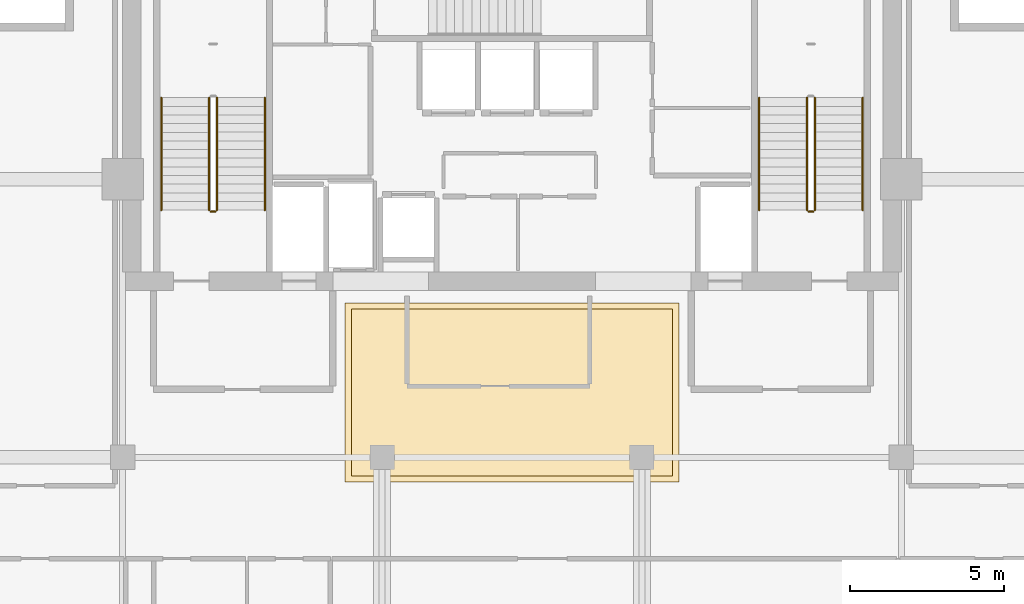
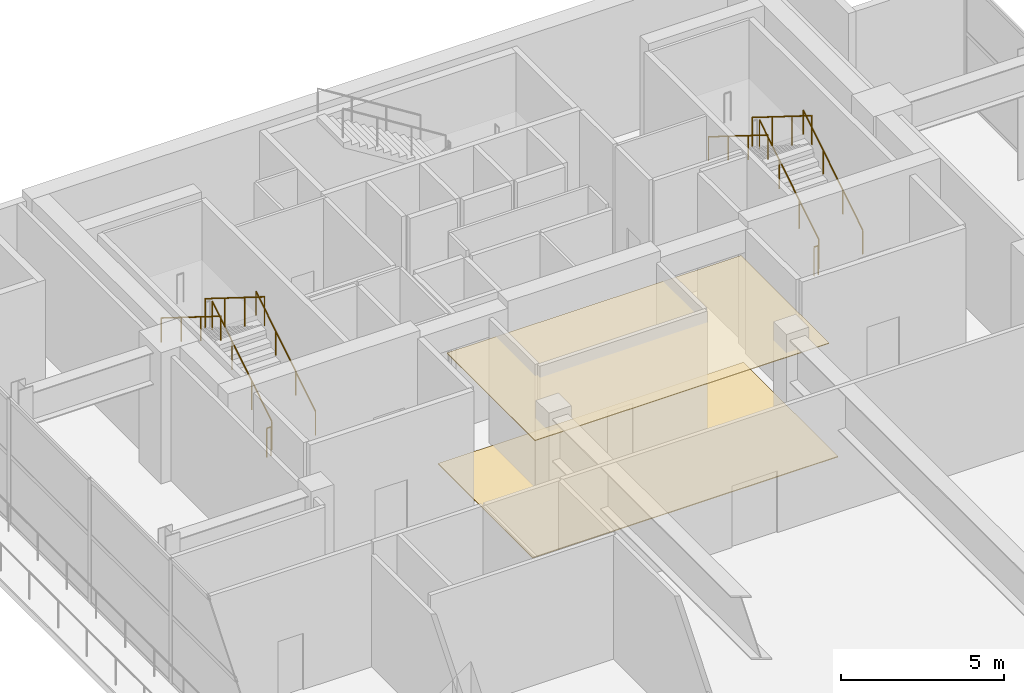
# One storey, part 20 of 22: 10 railings, 2 coverings.
"""IFC4 building model written with IfcOpenShell, lengths in metres."""

import ifcopenshell
import ifcopenshell.guid

model = None  # the IFC model being written
_history = None  # IfcOwnerHistory: only IFC2X3 demands one
_inside = {}  # id of a spatial element -> (the spatial element, [elements in it])
_under = {}  # id of a project, library or spatial element -> (it, [spatial elements below it])
_declared = {}  # id of a project -> (the project, [libraries it declares])
_typed = {}  # id of a type object -> (the type object, [elements of that type])
_made_of = {}  # id of a material, layer set ... -> (it, [elements and type objects made of it])


def new_model(schema):
    """Start an empty IFC model of exactly this schema.

    Asked for "IFC4X3", IfcOpenShell would pick the latest addendum, in which some entities
    have other attributes; the version numbers below select the first issue.
    IFC2X3 requires an IfcOwnerHistory on every rooted entity: one is made here for all.
    """
    global model, _history
    if schema == "IFC4X3":
        model = ifcopenshell.file(schema_version=(4, 3, 0, 0))
    else:
        model = ifcopenshell.file(schema=schema)
    _inside.clear()
    _under.clear()
    _declared.clear()
    _typed.clear()
    _made_of.clear()
    _history = None
    if model.schema == "IFC2X3":
        org = make("IfcOrganization", Name="unknown")
        user = make(
            "IfcPersonAndOrganization",
            ThePerson=make("IfcPerson", FamilyName="unknown"),
            TheOrganization=org,
        )
        app = make(
            "IfcApplication",
            ApplicationDeveloper=org,
            Version="unknown",
            ApplicationFullName="unknown",
            ApplicationIdentifier="unknown",
        )
        _history = make(
            "IfcOwnerHistory",
            OwningUser=user,
            OwningApplication=app,
            ChangeAction="ADDED",
            CreationDate=0,
        )
    return model


def make(cls, **values):
    """One entity of the class cls with the attributes given. An attribute that is None is left unset."""
    return model.create_entity(
        cls, **{name: value for name, value in values.items() if value is not None}
    )


def rooted(cls, **values):
    """An entity with a GlobalId (a new one), such as an element, a storey or a relation."""
    return make(cls, GlobalId=ifcopenshell.guid.new(), OwnerHistory=_history, **values)


def si_unit(unit_type, name, prefix=None):
    """IfcSIUnit, for example si_unit("LENGTHUNIT", "METRE", prefix="MILLI")."""
    return make("IfcSIUnit", UnitType=unit_type, Prefix=prefix, Name=name)


def assignment(units):
    """IfcUnitAssignment: the units of a project."""
    return None if units is None else make("IfcUnitAssignment", Units=units)


def point(xyz):
    """IfcCartesianPoint."""
    return None if xyz is None else make("IfcCartesianPoint", Coordinates=xyz)


def direction(xyz):
    """IfcDirection."""
    return None if xyz is None else make("IfcDirection", DirectionRatios=xyz)


def frame(location, z_axis=None, x_axis=None):
    """IfcAxis2Placement3D, a coordinate frame: its origin and axes. An axis left out is left unset."""
    return make(
        "IfcAxis2Placement3D",
        Location=point(location),
        Axis=direction(z_axis),
        RefDirection=direction(x_axis),
    )


def frame_2d(location, x_axis=None):
    """IfcAxis2Placement2D, a coordinate frame in the plane: its origin and x axis."""
    return make(
        "IfcAxis2Placement2D", Location=point(location), RefDirection=direction(x_axis)
    )


def origin():
    """The frame at (0, 0, 0) with its axes left unset."""
    return frame((0.0, 0.0, 0.0))


def origin_2d():
    """The frame at (0, 0) in the plane with its x axis left unset."""
    return frame_2d((0.0, 0.0))


def place(relative_to, where):
    """IfcLocalPlacement: puts the frame where relative to a parent placement (None: the world)."""
    return make(
        "IfcLocalPlacement", PlacementRelTo=relative_to, RelativePlacement=where
    )


def context(
    kind, dimensions, precision=None, world=None, true_north=None, identifier=None
):
    """IfcGeometricRepresentationContext, for example the 3D "Model" context."""
    return make(
        "IfcGeometricRepresentationContext",
        ContextIdentifier=identifier,
        ContextType=kind,
        CoordinateSpaceDimension=dimensions,
        Precision=precision,
        WorldCoordinateSystem=world,
        TrueNorth=true_north,
    )


def subcontext(parent, identifier, kind, view, scale=None):
    """IfcGeometricRepresentationSubContext, for example "Body" below "Model"."""
    return make(
        "IfcGeometricRepresentationSubContext",
        ContextIdentifier=identifier,
        ContextType=kind,
        ParentContext=parent,
        TargetScale=scale,
        TargetView=view,
    )


def project(units=None, contexts=None):
    """IfcProject with its units and contexts."""
    return rooted(
        "IfcProject",
        Name="project",
        RepresentationContexts=contexts,
        UnitsInContext=assignment(units),
    )


def spatial(cls, under=None, at=None, **own):
    """A site, building, storey or space (cls), placed at a placement, below another one or the project."""
    s = rooted(cls, ObjectPlacement=at, **own)
    if under is not None:
        _under.setdefault(under.id(), (under, []))[1].append(s)
    return s


def polyline(points):
    """IfcPolyline through the points."""
    return make("IfcPolyline", Points=[point(p) for p in points])


def profile(cls, at=None, kind="AREA", **sizes):
    """A parametric profile (cls). Its sizes go by their IFC names, for example OverallWidth=200.0."""
    return make(cls, ProfileType=kind, Position=at, **sizes)


def circle(**sizes):
    """IfcCircleProfileDef."""
    return profile("IfcCircleProfileDef", **sizes)


def outline(outer, holes=None, kind="AREA"):
    """IfcArbitraryClosedProfileDef: a profile drawn as a closed curve; with holes, ...WithVoids."""
    if holes is None:
        return make("IfcArbitraryClosedProfileDef", ProfileType=kind, OuterCurve=outer)
    return make(
        "IfcArbitraryProfileDefWithVoids",
        ProfileType=kind,
        OuterCurve=outer,
        InnerCurves=holes,
    )


def extrude(swept, where, along, depth):
    """IfcExtrudedAreaSolid: the profile swept, set in the frame where, extruded along a direction by depth."""
    return make(
        "IfcExtrudedAreaSolid",
        SweptArea=swept,
        Position=where,
        ExtrudedDirection=direction(along),
        Depth=depth,
    )


def shape(context_of_items, identifier, shape_type, items):
    """IfcShapeRepresentation: the items that make up one representation, for example the "Body"."""
    return make(
        "IfcShapeRepresentation",
        ContextOfItems=context_of_items,
        RepresentationIdentifier=identifier,
        RepresentationType=shape_type,
        Items=items,
    )


def material(Name=None, Category=None):
    """IfcMaterial."""
    return make("IfcMaterial", Name=Name, Category=Category)


def layer(
    of_material, thickness, ventilated=None, Name=None, Category=None, Priority=None
):
    """IfcMaterialLayer: one layer of a wall or slab, of a material (None: an air gap)."""
    return make(
        "IfcMaterialLayer",
        Material=of_material,
        LayerThickness=thickness,
        IsVentilated=ventilated,
        Name=Name,
        Category=Category,
        Priority=Priority,
    )


def layer_set(layers, Name=None):
    """IfcMaterialLayerSet."""
    return make("IfcMaterialLayerSet", MaterialLayers=layers, LayerSetName=Name)


def made_of(thing, what):
    """Note that an element or type object is made of a material, layer set ...; save() writes the relation."""
    if what is not None:
        _made_of.setdefault(what.id(), (what, []))[1].append(thing)
    return thing


def type_object(cls, material=None, **own):
    """A type object (cls), such as IfcWallType, which elements share."""
    return made_of(rooted(cls, **own), material)


def element(
    cls,
    number,
    at=None,
    inside=None,
    cuts=None,
    type_object=None,
    material=None,
    context=None,
    identifier="Body",
    shape_type=None,
    held_by="IfcProductDefinitionShape",
    body=None,
    shapes=None,
    **own,
):
    """One element of the class cls, such as IfcWall. Its Tag is "e" and its number.

    at: its placement. inside: the storey or other place that contains it. cuts: it is an
    opening in that element (IfcRelVoidsElement). A single representation is given by context,
    identifier, shape_type and body (its items); several are given by shapes. held_by: the class
    of the entity that holds the representations. save() writes the other relations.
    """
    e = rooted(cls, Tag="e%d" % number, ObjectPlacement=at, **own)
    if body is not None:
        shapes = [shape(context, identifier, shape_type, body)]
    if shapes is not None:
        e.Representation = make(held_by, Representations=shapes)
    if inside is not None:
        _inside.setdefault(inside.id(), (inside, []))[1].append(e)
    if cuts is not None:
        rooted(
            "IfcRelVoidsElement", RelatingBuildingElement=cuts, RelatedOpeningElement=e
        )
    if type_object is not None:
        _typed.setdefault(type_object.id(), (type_object, []))[1].append(e)
    return made_of(e, material)


def aggregate(whole, parts):
    """IfcRelAggregates: a whole, such as a stair, and the parts it consists of."""
    return rooted("IfcRelAggregates", RelatingObject=whole, RelatedObjects=parts)


def save(model, path):
    """Write the relations noted so far, then the file.

    IfcRelAggregates (storeys below a building ...), IfcRelContainedInSpatialStructure (elements
    in a storey), IfcRelDefinesByType, IfcRelAssociatesMaterial and IfcRelDeclares: one each for
    every whole, place, type object, material and project.
    """
    for whole, parts in _under.values():
        aggregate(whole, parts)
    for where, things in _inside.values():
        rooted(
            "IfcRelContainedInSpatialStructure",
            RelatedElements=things,
            RelatingStructure=where,
        )
    for kind, things in _typed.values():
        rooted("IfcRelDefinesByType", RelatedObjects=things, RelatingType=kind)
    for what, things in _made_of.values():
        rooted("IfcRelAssociatesMaterial", RelatedObjects=things, RelatingMaterial=what)
    for by, libraries in _declared.values():
        rooted("IfcRelDeclares", RelatingContext=by, RelatedDefinitions=libraries)
    model.write(path)


model = new_model("IFC4")

# Units and contexts
model_context = context("Model", 3, precision=1e-05, world=origin(), true_north=direction((0.0, 1.0)))
body_context = subcontext(model_context, "Body", "Model", "MODEL_VIEW")
ifc_project = project(units=[si_unit("LENGTHUNIT", "METRE"), si_unit("AREAUNIT", "SQUARE_METRE"), si_unit("VOLUMEUNIT", "CUBIC_METRE"), si_unit("PLANEANGLEUNIT", "RADIAN"), si_unit("MASSUNIT", "GRAM", prefix="KILO")], contexts=[model_context])

# Site, building, storey
site_placement = place(None, origin())
site = spatial("IfcSite", under=ifc_project, at=site_placement, CompositionType="ELEMENT")
building_placement = place(site_placement, origin())
building = spatial("IfcBuilding", under=site, at=building_placement, Name="Maruvema Waterfront Hotel and Observation Tower", CompositionType="ELEMENT")
storey_placement = place(building_placement, frame((0.0, 0.0, 354.199951171875)))
storey = spatial("IfcBuildingStorey", under=building, at=storey_placement, Name="L87", CompositionType="ELEMENT", Elevation=354.199951171875)

# Coverings
ifc_material_1 = material(Name="Honed Pernambuco warm granite", Category="masonry")
ifc_layer_1 = layer(ifc_material_1, 0.030029296875, Name="Honed Pernambuco Granite Lobby Flooring 30 mm")
ifc_layer_set_1 = layer_set([ifc_layer_1], Name="Honed Pernambuco warm granite")
covering_type_1 = type_object("IfcCoveringType", Name="Honed Pernambuco Granite Lobby Flooring 30 mm", PredefinedType="FLOORING", material=ifc_layer_set_1)
covering_1_placement = place(storey_placement, origin())
element("IfcCovering", 1, at=covering_1_placement, inside=storey, type_object=covering_type_1, Name="L87 Sky Concourse Granite Flooring", PredefinedType="FLOORING", context=body_context, shape_type="SweptSolid", body=[
    extrude(outline(polyline([(32.39990234375, 35.199951171875), (43.199951171875, 35.199951171875), (43.199951171875, 41.0), (32.39990234375, 41.0), (32.39990234375, 35.199951171875)])), origin(), (0.0, 0.0, 1.0), 0.030029296875),
])
ifc_material_2 = material(Name="Perforated acoustic gypsum board", Category="gypsum")
ifc_layer_2 = layer(ifc_material_2, 0.02490234375, Name="Perforated Acoustic Gypsum Suspended Ceiling 25 mm")
ifc_layer_set_2 = layer_set([ifc_layer_2], Name="Perforated acoustic gypsum board")
covering_type_2 = type_object("IfcCoveringType", Name="Perforated Acoustic Gypsum Suspended Ceiling 25 mm", PredefinedType="CEILING", material=ifc_layer_set_2)
covering_2_placement = place(storey_placement, frame((0.0, 0.0, 4.18994140625)))
element("IfcCovering", 2, at=covering_2_placement, inside=storey, type_object=covering_type_2, Name="L87 Sky Concourse Acoustic Ceiling", PredefinedType="CEILING", context=body_context, shape_type="SweptSolid", body=[
    extrude(outline(polyline([(32.60009765625, 35.39990234375), (43.0, 35.39990234375), (43.0, 40.800048828125), (32.60009765625, 40.800048828125), (32.60009765625, 35.39990234375)])), origin(), (0.0, 0.0, 1.0), 0.025146484375),
])

# Railings
ifc_material_3 = material(Name="Brushed stainless steel Grade 316", Category="steel")
railing_type_1 = type_object("IfcRailingType", Name="Ramp Continuous Wall Handrail 920 mm", PredefinedType="HANDRAIL", material=ifc_material_3)
railing_1_placement = place(storey_placement, frame((29.800048828125, 44.0, 0.175048828125)))
element("IfcRailing", 3, at=railing_1_placement, inside=storey, type_object=railing_type_1, Name="L87 ST-01 stair handrail 1", PredefinedType="HANDRAIL", context=body_context, shape_type="SweptSolid", body=[
    extrude(circle(Radius=0.02392578125, at=origin_2d()), frame((0.0, 0.0, 0.89599609375), z_axis=(0.0, 0.848001499411, 0.52999382732), x_axis=(-1.0, 0.0, 0.0)), (0.0, 0.0, 1.0), 4.292236328125),
    extrude(circle(Radius=0.02099609375, at=origin_2d()), origin(), (0.0, 0.0, 1.0), 0.871826171875),
    extrude(circle(Radius=0.02099609375, at=origin_2d()), frame((0.0, 1.21337890625, 0.75830078125)), (0.0, 0.0, 1.0), 0.871826171875),
    extrude(circle(Radius=0.02099609375, at=origin_2d()), frame((0.0, 2.426513671875, 1.5166015625)), (0.0, 0.0, 1.0), 0.871826171875),
    extrude(circle(Radius=0.02099609375, at=origin_2d()), frame((0.0, 3.639892578125, 2.27490234375)), (0.0, 0.0, 1.0), 0.871826171875),
])
railing_2_placement = place(storey_placement, frame((26.449951171875, 47.639892578125, 2.625)))
element("IfcRailing", 4, at=railing_2_placement, inside=storey, type_object=railing_type_1, Name="L87 ST-01 stair handrail 2", PredefinedType="HANDRAIL", context=body_context, shape_type="SweptSolid", body=[
    extrude(circle(Radius=0.02392578125, at=origin_2d()), frame((0.0, 0.0, 0.89599609375), z_axis=(0.0, -0.847975935976, 0.530034727169), x_axis=(1.0, 0.0, 0.0)), (0.0, 0.0, 1.0), 4.29248046875),
    extrude(circle(Radius=0.02099609375, at=origin_2d()), origin(), (0.0, 0.0, 1.0), 0.871826171875),
    extrude(circle(Radius=0.02099609375, at=origin_2d()), frame((0.0, -1.21337890625, 0.75830078125)), (0.0, 0.0, 1.0), 0.871826171875),
    extrude(circle(Radius=0.02099609375, at=origin_2d()), frame((0.0, -2.426513671875, 1.516845703125)), (0.0, 0.0, 1.0), 0.871826171875),
    extrude(circle(Radius=0.02099609375, at=origin_2d()), frame((0.0, -3.639892578125, 2.275146484375)), (0.0, 0.0, 1.0), 0.871826171875),
])
railing_3_placement = place(storey_placement, frame((49.14990234375, 44.0, 0.175048828125)))
element("IfcRailing", 5, at=railing_3_placement, inside=storey, type_object=railing_type_1, Name="L87 ST-03 stair handrail 1", PredefinedType="HANDRAIL", context=body_context, shape_type="SweptSolid", body=[
    extrude(circle(Radius=0.02392578125, at=origin_2d()), frame((0.0, 0.0, 0.89599609375), z_axis=(0.0, 0.848001499411, 0.52999382732), x_axis=(-1.0, 0.0, 0.0)), (0.0, 0.0, 1.0), 4.292236328125),
    extrude(circle(Radius=0.02099609375, at=origin_2d()), origin(), (0.0, 0.0, 1.0), 0.871826171875),
    extrude(circle(Radius=0.02099609375, at=origin_2d()), frame((0.0, 1.21337890625, 0.75830078125)), (0.0, 0.0, 1.0), 0.871826171875),
    extrude(circle(Radius=0.02099609375, at=origin_2d()), frame((0.0, 2.426513671875, 1.5166015625)), (0.0, 0.0, 1.0), 0.871826171875),
    extrude(circle(Radius=0.02099609375, at=origin_2d()), frame((0.0, 3.639892578125, 2.27490234375)), (0.0, 0.0, 1.0), 0.871826171875),
])
railing_4_placement = place(storey_placement, frame((45.800048828125, 47.639892578125, 2.625)))
element("IfcRailing", 6, at=railing_4_placement, inside=storey, type_object=railing_type_1, Name="L87 ST-03 stair handrail 2", PredefinedType="HANDRAIL", context=body_context, shape_type="SweptSolid", body=[
    extrude(circle(Radius=0.02392578125, at=origin_2d()), frame((0.0, 0.0, 0.89599609375), z_axis=(0.0, -0.847975935976, 0.530034727169), x_axis=(1.0, 0.0, 0.0)), (0.0, 0.0, 1.0), 4.29248046875),
    extrude(circle(Radius=0.02099609375, at=origin_2d()), origin(), (0.0, 0.0, 1.0), 0.871826171875),
    extrude(circle(Radius=0.02099609375, at=origin_2d()), frame((0.0, -1.21337890625, 0.75830078125)), (0.0, 0.0, 1.0), 0.871826171875),
    extrude(circle(Radius=0.02099609375, at=origin_2d()), frame((0.0, -2.426513671875, 1.516845703125)), (0.0, 0.0, 1.0), 0.871826171875),
    extrude(circle(Radius=0.02099609375, at=origin_2d()), frame((0.0, -3.639892578125, 2.275146484375)), (0.0, 0.0, 1.0), 0.871826171875),
])
ifc_material_4 = material(Name="Brushed stainless steel Grade 316", Category="steel")
railing_type_2 = type_object("IfcRailingType", Name="Ramp and Terrace Guard Balustrade 1100 mm", PredefinedType="BALUSTRADE", material=ifc_material_4)
railing_5_placement = place(storey_placement, frame((28.25, 44.0, 0.175048828125)))
element("IfcRailing", 7, at=railing_5_placement, inside=storey, type_object=railing_type_2, Name="L87 ST-01 stair guard 1", PredefinedType="BALUSTRADE", context=body_context, shape_type="SweptSolid", body=[
    extrude(circle(Radius=0.02392578125, at=origin_2d()), frame((0.0, 0.0, 1.076171875), z_axis=(0.0, 0.848001499411, 0.52999382732), x_axis=(-1.0, 0.0, 0.0)), (0.0, 0.0, 1.0), 4.292236328125),
    extrude(circle(Radius=0.02099609375, at=origin_2d()), origin(), (0.0, 0.0, 1.0), 1.052001953125),
    extrude(circle(Radius=0.02099609375, at=origin_2d()), frame((0.0, 1.21337890625, 0.75830078125)), (0.0, 0.0, 1.0), 1.052001953125),
    extrude(circle(Radius=0.02099609375, at=origin_2d()), frame((0.0, 2.426513671875, 1.5166015625)), (0.0, 0.0, 1.0), 1.052001953125),
    extrude(circle(Radius=0.02099609375, at=origin_2d()), frame((0.0, 3.639892578125, 2.27490234375)), (0.0, 0.0, 1.0), 1.052001953125),
])
railing_6_placement = place(storey_placement, frame((28.0, 47.639892578125, 2.625)))
element("IfcRailing", 8, at=railing_6_placement, inside=storey, type_object=railing_type_2, Name="L87 ST-01 stair guard 3", PredefinedType="BALUSTRADE", context=body_context, shape_type="SweptSolid", body=[
    extrude(circle(Radius=0.02392578125, at=origin_2d()), frame((0.0, 0.0, 1.076171875), z_axis=(0.0, -0.847975935976, 0.530034727169), x_axis=(1.0, 0.0, 0.0)), (0.0, 0.0, 1.0), 4.29248046875),
    extrude(circle(Radius=0.02099609375, at=origin_2d()), origin(), (0.0, 0.0, 1.0), 1.052001953125),
    extrude(circle(Radius=0.02099609375, at=origin_2d()), frame((0.0, -1.21337890625, 0.75830078125)), (0.0, 0.0, 1.0), 1.052001953125),
    extrude(circle(Radius=0.02099609375, at=origin_2d()), frame((0.0, -2.426513671875, 1.516845703125)), (0.0, 0.0, 1.0), 1.052001953125),
    extrude(circle(Radius=0.02099609375, at=origin_2d()), frame((0.0, -3.639892578125, 2.275146484375)), (0.0, 0.0, 1.0), 1.052001953125),
])
railing_7_placement = place(storey_placement, frame((28.199951171875, 43.949951171875, 0.0)))
element("IfcRailing", 9, at=railing_7_placement, inside=storey, type_object=railing_type_2, Name="L87 ST-01 stair guard 4", PredefinedType="BALUSTRADE", context=body_context, shape_type="SweptSolid", body=[
    extrude(circle(Radius=0.02392578125, at=origin_2d()), frame((0.0, 0.0, 1.076171875), z_axis=(-1.0, 0.0, 0.0), x_axis=(0.0, -1.0, 0.0)), (0.0, 0.0, 1.0), 0.14990234375),
    extrude(circle(Radius=0.02099609375, at=origin_2d()), origin(), (0.0, 0.0, 1.0), 1.052001953125),
    extrude(circle(Radius=0.02099609375, at=origin_2d()), frame((-0.14990234375, 0.0, 0.0)), (0.0, 0.0, 1.0), 1.052001953125),
])
railing_8_placement = place(storey_placement, frame((47.60009765625, 44.0, 0.175048828125)))
element("IfcRailing", 10, at=railing_8_placement, inside=storey, type_object=railing_type_2, Name="L87 ST-03 stair guard 1", PredefinedType="BALUSTRADE", context=body_context, shape_type="SweptSolid", body=[
    extrude(circle(Radius=0.02392578125, at=origin_2d()), frame((0.0, 0.0, 1.076171875), z_axis=(0.0, 0.848001499411, 0.52999382732), x_axis=(-1.0, 0.0, 0.0)), (0.0, 0.0, 1.0), 4.292236328125),
    extrude(circle(Radius=0.02099609375, at=origin_2d()), origin(), (0.0, 0.0, 1.0), 1.052001953125),
    extrude(circle(Radius=0.02099609375, at=origin_2d()), frame((0.0, 1.21337890625, 0.75830078125)), (0.0, 0.0, 1.0), 1.052001953125),
    extrude(circle(Radius=0.02099609375, at=origin_2d()), frame((0.0, 2.426513671875, 1.5166015625)), (0.0, 0.0, 1.0), 1.052001953125),
    extrude(circle(Radius=0.02099609375, at=origin_2d()), frame((0.0, 3.639892578125, 2.27490234375)), (0.0, 0.0, 1.0), 1.052001953125),
])
railing_9_placement = place(storey_placement, frame((47.35009765625, 47.639892578125, 2.625)))
element("IfcRailing", 11, at=railing_9_placement, inside=storey, type_object=railing_type_2, Name="L87 ST-03 stair guard 3", PredefinedType="BALUSTRADE", context=body_context, shape_type="SweptSolid", body=[
    extrude(circle(Radius=0.02392578125, at=origin_2d()), frame((0.0, 0.0, 1.076171875), z_axis=(0.0, -0.847975935976, 0.530034727169), x_axis=(1.0, 0.0, 0.0)), (0.0, 0.0, 1.0), 4.29248046875),
    extrude(circle(Radius=0.02099609375, at=origin_2d()), origin(), (0.0, 0.0, 1.0), 1.052001953125),
    extrude(circle(Radius=0.02099609375, at=origin_2d()), frame((0.0, -1.21337890625, 0.75830078125)), (0.0, 0.0, 1.0), 1.052001953125),
    extrude(circle(Radius=0.02099609375, at=origin_2d()), frame((0.0, -2.426513671875, 1.516845703125)), (0.0, 0.0, 1.0), 1.052001953125),
    extrude(circle(Radius=0.02099609375, at=origin_2d()), frame((0.0, -3.639892578125, 2.275146484375)), (0.0, 0.0, 1.0), 1.052001953125),
])
railing_10_placement = place(storey_placement, frame((47.550048828125, 43.949951171875, 0.0)))
element("IfcRailing", 12, at=railing_10_placement, inside=storey, type_object=railing_type_2, Name="L87 ST-03 stair guard 4", PredefinedType="BALUSTRADE", context=body_context, shape_type="SweptSolid", body=[
    extrude(circle(Radius=0.02392578125, at=origin_2d()), frame((0.0, 0.0, 1.076171875), z_axis=(-1.0, 0.0, 0.0), x_axis=(0.0, -1.0, 0.0)), (0.0, 0.0, 1.0), 0.150146484375),
    extrude(circle(Radius=0.02099609375, at=origin_2d()), origin(), (0.0, 0.0, 1.0), 1.052001953125),
    extrude(circle(Radius=0.02099609375, at=origin_2d()), frame((-0.150146484375, 0.0, 0.0)), (0.0, 0.0, 1.0), 1.052001953125),
])

save(model, "model.ifc")
